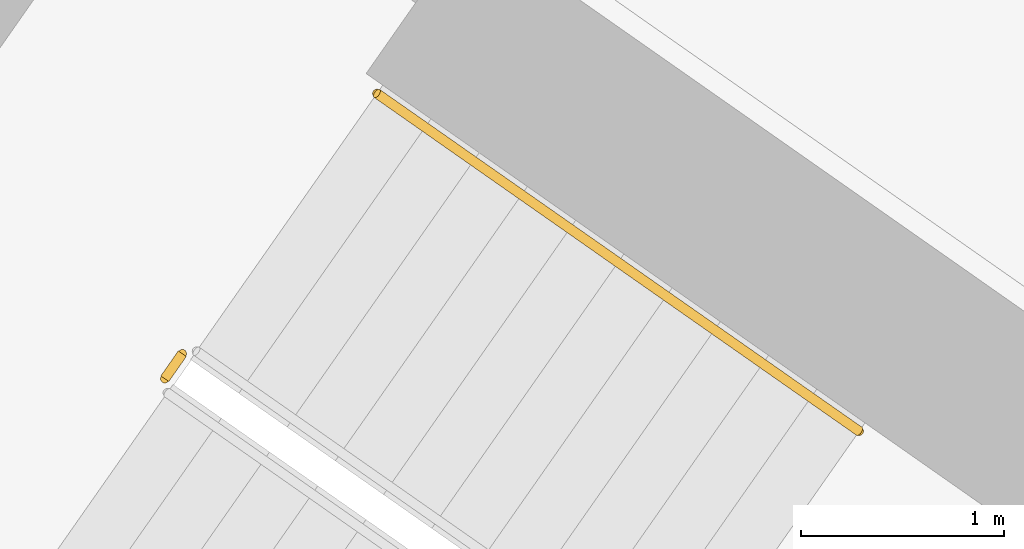
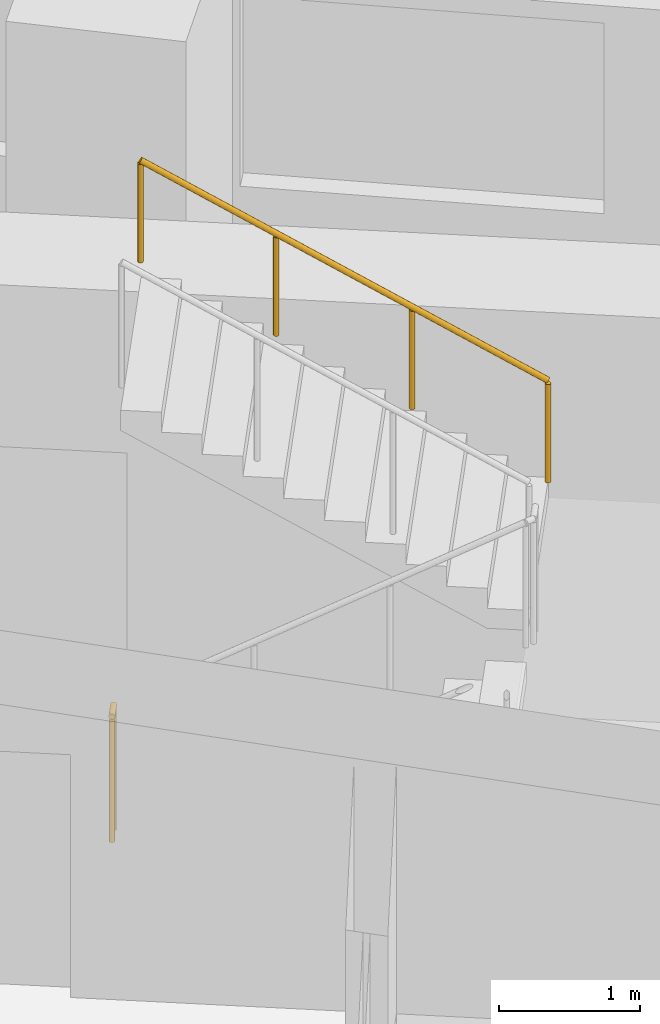
# One storey, part 27 of 31: 2 railings.
"""IFC4 building model written with IfcOpenShell, lengths in metres."""

from ifc_helpers import new_model, si_unit, direction, frame, origin, origin_2d, place, context, subcontext, project, spatial, circle, extrude, material, type_object, element, save


model = new_model("IFC4")

# Units and contexts
model_context = context("Model", 3, precision=1e-05, world=origin(), true_north=direction((0.0, 1.0)))
body_context = subcontext(model_context, "Body", "Model", "MODEL_VIEW")
ifc_project = project(units=[si_unit("LENGTHUNIT", "METRE"), si_unit("AREAUNIT", "SQUARE_METRE"), si_unit("VOLUMEUNIT", "CUBIC_METRE"), si_unit("PLANEANGLEUNIT", "RADIAN"), si_unit("MASSUNIT", "GRAM", prefix="KILO")], contexts=[model_context])

# Site, building, storey
site_placement = place(None, origin())
site = spatial("IfcSite", under=ifc_project, at=site_placement, CompositionType="ELEMENT")
building_placement = place(site_placement, origin())
building = spatial("IfcBuilding", under=site, at=building_placement, Name="Qamariyya Broadcast Tower", CompositionType="ELEMENT")
storey_placement = place(building_placement, frame((0.0, 0.0, 48.10009765625)))
storey = spatial("IfcBuildingStorey", under=building, at=storey_placement, Name="L08", CompositionType="ELEMENT", Elevation=48.10009765625)

# Railings
ifc_material_1 = material(Name="Painted steel", Category="steel")
railing_type_1 = type_object("IfcRailingType", Name="Stair guard", PredefinedType="GUARDRAIL", material=ifc_material_1)
railing_1_placement = place(storey_placement, frame((-41.158935546875, -48.455322265625, 0.0)))
element("IfcRailing", 1, at=railing_1_placement, inside=storey, type_object=railing_type_1, Name="L08 ST-W2 stair guard 3", PredefinedType="GUARDRAIL", context=body_context, shape_type="SweptSolid", body=[
    extrude(circle(Radius=0.02392578125, at=origin_2d()), frame((0.0, 0.0, 1.076171875), z_axis=(0.572588637393, 0.819842821722, 0.0), x_axis=(-0.819842821722, 0.572588637393, 0.0)), (0.0, 0.0, 1.0), 0.150146484375),
    extrude(circle(Radius=0.02099609375, at=origin_2d()), origin(), (0.0, 0.0, 1.0), 1.052001953125),
    extrude(circle(Radius=0.02099609375, at=origin_2d()), frame((0.0859375, 0.123046875, 0.0)), (0.0, 0.0, 1.0), 1.052001953125),
])
ifc_material_2 = material(Name="Stainless steel", Category="steel")
railing_type_2 = type_object("IfcRailingType", Name="Stair handrail", PredefinedType="HANDRAIL", material=ifc_material_2)
railing_2_placement = place(storey_placement, frame((-37.73876953125, -48.7138671875, 2.072509765625)))
element("IfcRailing", 2, at=railing_2_placement, inside=storey, type_object=railing_type_2, Name="L08 ST-W2 stair handrail 2", PredefinedType="HANDRAIL", context=body_context, shape_type="SweptSolid", body=[
    extrude(circle(Radius=0.02392578125, at=origin_2d()), frame((0.0, 0.0, 0.8759765625), z_axis=(-0.703745009021, 0.492838488332, 0.511715923826), x_axis=(-0.573631830683, -0.819113253969, 0.0)), (0.0, 0.0, 1.0), 3.37548828125),
    extrude(circle(Radius=0.02099609375, at=origin_2d()), origin(), (0.0, 0.0, 1.0), 0.851806640625),
    extrude(circle(Radius=0.02099609375, at=origin_2d()), frame((-0.791748046875, 0.554443359375, 0.57568359375)), (0.0, 0.0, 1.0), 0.851806640625),
    extrude(circle(Radius=0.02099609375, at=origin_2d()), frame((-1.583740234375, 1.109130859375, 1.151611328125)), (0.0, 0.0, 1.0), 0.851806640625),
    extrude(circle(Radius=0.02099609375, at=origin_2d()), frame((-2.37548828125, 1.66357421875, 1.727294921875)), (0.0, 0.0, 1.0), 0.851806640625),
])

save(model, "model.ifc")
